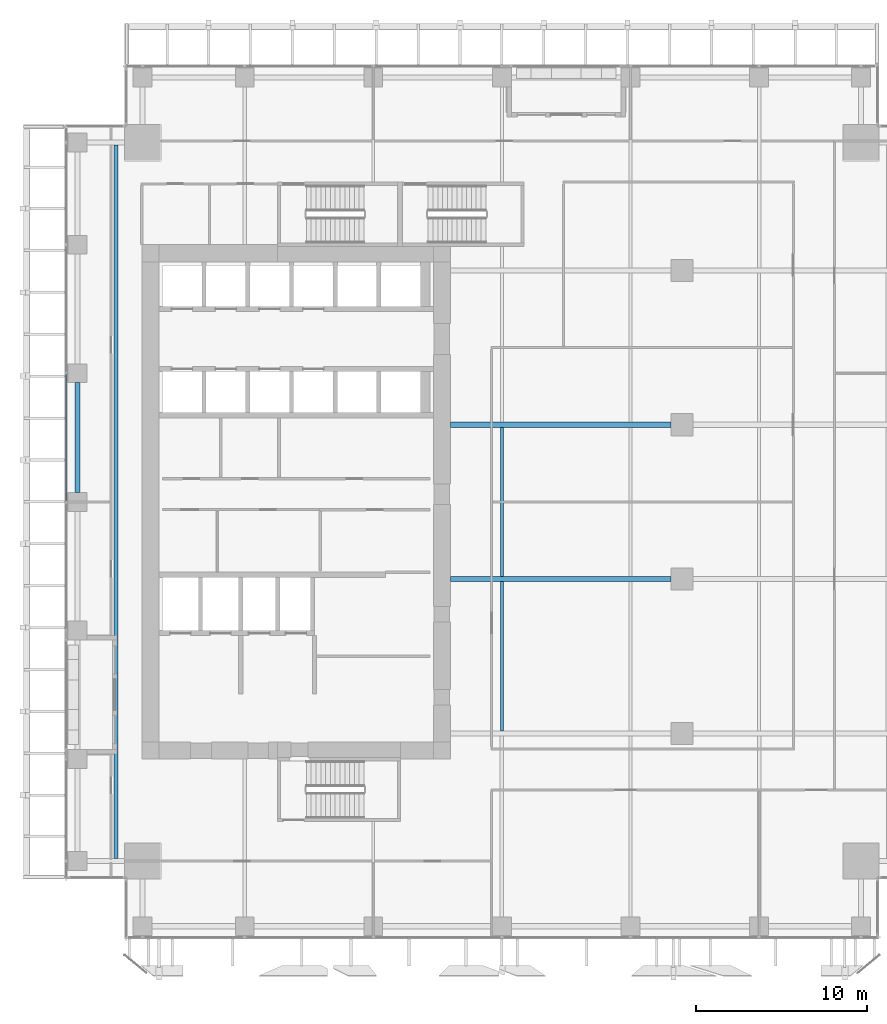
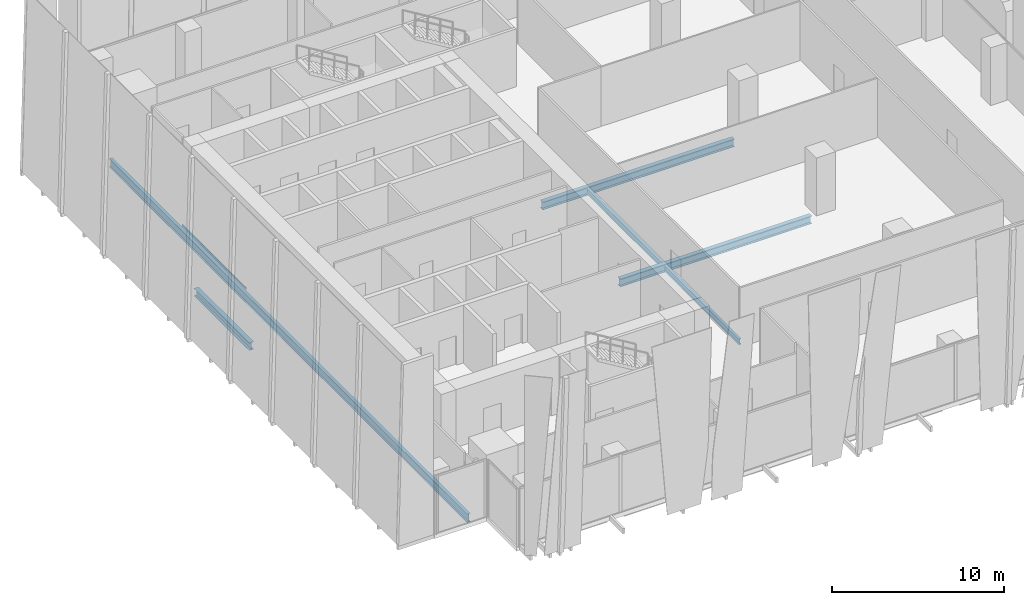
# One storey, part 6 of 34: 6 beams, 1 member, 1 element without a shape of its own.
"""IFC4 building model written with IfcOpenShell, lengths in metres."""

from ifc_helpers import new_model, si_unit, direction, frame, origin, origin_2d, place, context, subcontext, project, spatial, hollow_rectangle, i_section, extrude, source, transform, mapped, material, material_profile, profile_set, type_object, element, aggregate, save


model = new_model("IFC4")

# Units and contexts
model_context = context("Model", 3, precision=1e-05, world=origin(), true_north=direction((0.0, 1.0)))
body_context = subcontext(model_context, "Body", "Model", "MODEL_VIEW")
ifc_project = project(units=[si_unit("LENGTHUNIT", "METRE"), si_unit("AREAUNIT", "SQUARE_METRE"), si_unit("VOLUMEUNIT", "CUBIC_METRE"), si_unit("PLANEANGLEUNIT", "RADIAN"), si_unit("MASSUNIT", "GRAM", prefix="KILO")], contexts=[model_context])

# Site, building, storey
site_placement = place(None, origin())
site = spatial("IfcSite", under=ifc_project, at=site_placement, CompositionType="ELEMENT")
building_placement = place(site_placement, origin())
building = spatial("IfcBuilding", under=site, at=building_placement, Name="Khomas Fold Tower", CompositionType="ELEMENT")
storey_placement = place(building_placement, frame((0.0, 0.0, 114.699951171875)))
storey = spatial("IfcBuildingStorey", under=building, at=storey_placement, Name="L24", CompositionType="ELEMENT", Elevation=114.699951171875)

# Beams
ifc_material_1 = material(Name="Steel S355", Category="steel")
ifc_material_profile_1 = material_profile(ifc_material_1, i_section(OverallWidth=0.179931640625, OverallDepth=0.39990234375, WebThickness=0.008544921875, FlangeThickness=0.013427734375, at=origin_2d()), Name="IPE 400")
ifc_profile_set_1 = profile_set([ifc_material_profile_1], Name="Steel S355")
beam_type_1 = type_object("IfcBeamType", Name="IPE 400 beam JB3", PredefinedType="BEAM", material=ifc_profile_set_1)
shared_shape_1 = source(origin(), body_context, "Body", "SweptSolid", [
    extrude(i_section(OverallWidth=0.179931640625, OverallDepth=0.39990234375, WebThickness=0.008544921875, FlangeThickness=0.013427734375, at=origin_2d()), origin(), (0.0, 0.0, 1.0), 8.7001953125),
])
for number, where, z_axis, x_axis, name in (
    (1, (27.0, 13.64990234375, -0.5), (0.0, 1.0, 0.0), (-1.0, 0.0, 0.0), "JB3"),
    (2, (27.0, 22.64990234375, -0.5), (0.0, 1.0, 0.0), (-1.0, 0.0, 0.0), "JB3"),
):
    element("IfcBeam", number, at=place(storey_placement, frame(where, z_axis=z_axis, x_axis=x_axis)), inside=storey, type_object=beam_type_1, Name=name, PredefinedType="BEAM", context=body_context, shape_type="MappedRepresentation", body=[
        mapped(shared_shape_1, transform((0.0, 0.0, 0.0))),
    ])
ifc_material_2 = material(Name="Steel S355", Category="steel")
ifc_material_profile_2 = material_profile(ifc_material_2, i_section(OverallWidth=0.300048828125, OverallDepth=0.550048828125, WebThickness=0.014892578125, FlangeThickness=0.029052734375, at=origin_2d()), Name="HE 550 B")
ifc_profile_set_2 = profile_set([ifc_material_profile_2], Name="Steel S355")
beam_type_2 = type_object("IfcBeamType", Name="HE 550 B spandrel SB2", PredefinedType="SPANDREL", material=ifc_profile_set_2)
shared_shape_2 = source(origin(), body_context, "Body", "SweptSolid", [
    extrude(i_section(OverallWidth=0.300048828125, OverallDepth=0.550048828125, WebThickness=0.014892578125, FlangeThickness=0.029052734375, at=origin_2d()), origin(), (0.0, 0.0, 1.0), 6.39990234375),
])
beam_1_placement = place(storey_placement, frame((2.25, 27.550048828125, -0.574951171875), z_axis=(0.0, 1.0, 0.0), x_axis=(-1.0, 0.0, 0.0)))
element("IfcBeam", 3, at=beam_1_placement, inside=storey, type_object=beam_type_2, Name="SB2", PredefinedType="SPANDREL", context=body_context, shape_type="MappedRepresentation", body=[
    mapped(shared_shape_2, transform((0.0, 0.0, 0.0))),
])
ifc_material_3 = material(Name="Steel S355", Category="steel")
ifc_material_profile_3 = material_profile(ifc_material_3, i_section(OverallWidth=0.300048828125, OverallDepth=0.550048828125, WebThickness=0.014892578125, FlangeThickness=0.029052734375, at=origin_2d()), Name="HE 550 B")
ifc_profile_set_3 = profile_set([ifc_material_profile_3], Name="Steel S355")
beam_type_3 = type_object("IfcBeamType", Name="HE 550 B beam GB4", PredefinedType="BEAM", material=ifc_profile_set_3)
shared_shape_3 = source(origin(), body_context, "Body", "SweptSolid", [
    extrude(i_section(OverallWidth=0.300048828125, OverallDepth=0.550048828125, WebThickness=0.014892578125, FlangeThickness=0.029052734375, at=origin_2d()), origin(), (0.0, 0.0, 1.0), 12.85009765625),
])
for number, where, z_axis, x_axis, name in (
    (4, (24.0, 22.5, -0.574951171875), (1.0, 0.0, 0.0), (0.0, 1.0, 0.0), "GB4"),
    (5, (24.0, 31.5, -0.574951171875), (1.0, 0.0, 0.0), (0.0, 1.0, 0.0), "GB4"),
):
    element("IfcBeam", number, at=place(storey_placement, frame(where, z_axis=z_axis, x_axis=x_axis)), inside=storey, type_object=beam_type_3, Name=name, PredefinedType="BEAM", context=body_context, shape_type="MappedRepresentation", body=[
        mapped(shared_shape_3, transform((0.0, 0.0, 0.0))),
    ])
ifc_material_4 = material(Name="Steel S355", Category="steel")
ifc_material_profile_4 = material_profile(ifc_material_4, i_section(OverallWidth=0.219970703125, OverallDepth=0.60009765625, WebThickness=0.011962890625, FlangeThickness=0.01904296875, at=origin_2d()), Name="IPE 600")
ifc_profile_set_4 = profile_set([ifc_material_profile_4], Name="Steel S355")
beam_type_4 = type_object("IfcBeamType", Name="IPE 600 beam JB7", PredefinedType="BEAM", material=ifc_profile_set_4)
shared_shape_4 = source(origin(), body_context, "Body", "SweptSolid", [
    extrude(i_section(OverallWidth=0.219970703125, OverallDepth=0.60009765625, WebThickness=0.011962890625, FlangeThickness=0.01904296875, at=origin_2d()), origin(), (0.0, 0.0, 1.0), 41.60009765625),
])
beam_2_placement = place(storey_placement, frame((4.5, 6.199951171875, -0.599853515625), z_axis=(0.0, 1.0, 0.0), x_axis=(-1.0, 0.0, 0.0)))
element("IfcBeam", 6, at=beam_2_placement, inside=storey, type_object=beam_type_4, Name="JB7", PredefinedType="BEAM", context=body_context, shape_type="MappedRepresentation", body=[
    mapped(shared_shape_4, transform((0.0, 0.0, 0.0))),
])

# Curtain wall, member
ifc_material_5 = material(Name="Aluminium framed double glazing", Category="aluminium")
curtain_wall_type = type_object("IfcCurtainWallType", Name="SK-Unitised clear-glass wall, growing floors CW1", PredefinedType="NOTDEFINED", material=ifc_material_5)
curtain_wall_placement = place(storey_placement, origin())
curtain_wall = element("IfcCurtainWall", 7, at=curtain_wall_placement, inside=storey, type_object=curtain_wall_type, Name="CW1 run L24 09-0", PredefinedType="NOTDEFINED")
ifc_material_6 = material(Name="Aluminium", Category="aluminium")
ifc_material_profile_5 = material_profile(ifc_material_6, hollow_rectangle(XDim=0.06005859375, YDim=0.1201171875, WallThickness=0.00390625, at=origin_2d()), Name="SK-Unitised clear-glass wall, growing floors transom CW1-T")
ifc_profile_set_5 = profile_set([ifc_material_profile_5], Name="Aluminium")
member_type = type_object("IfcMemberType", Name="SK-Unitised clear-glass wall, growing floors transom CW1-T", PredefinedType="USERDEFINED", material=ifc_profile_set_5)
shared_shape_5 = source(origin(), body_context, "Body", "SweptSolid", [
    extrude(hollow_rectangle(XDim=0.06005859375, YDim=0.1201171875, WallThickness=0.00390625, at=origin_2d()), origin(), (0.0, 0.0, 1.0), 7.43994140625),
])
member_placement = place(storey_placement, frame((1.60009765625, 34.469970703125, 4.0400390625), z_axis=(0.0, -1.0, 0.0), x_axis=(1.0, 0.0, 0.0)))
member = element("IfcMember", 8, at=member_placement, type_object=member_type, Name="CW1 transom 4", ObjectType="TRANSOM", PredefinedType="USERDEFINED", context=body_context, shape_type="MappedRepresentation", body=[
    mapped(shared_shape_5, transform((0.0, 0.0, 0.0))),
])
aggregate(curtain_wall, [member])

save(model, "model.ifc")
